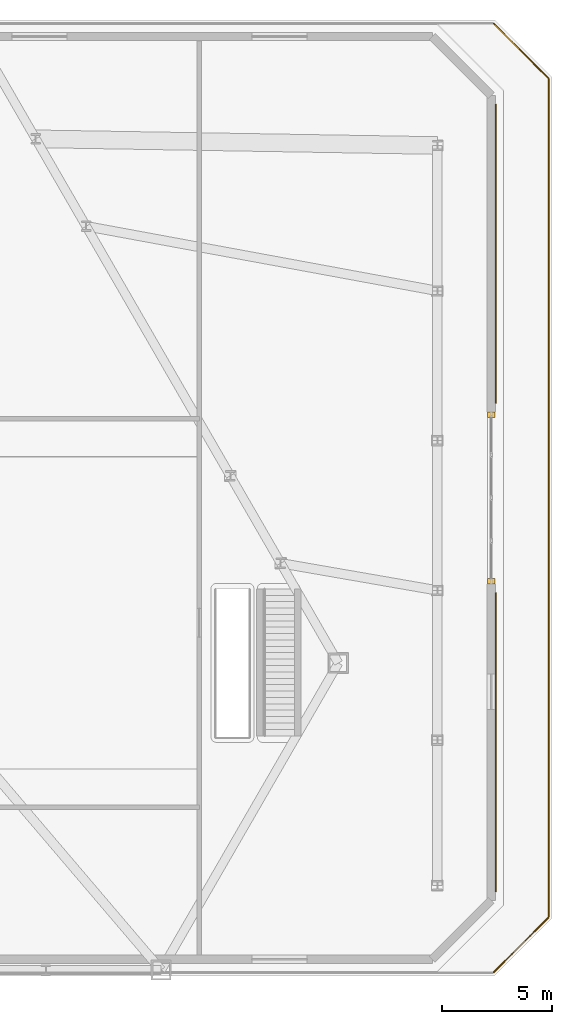
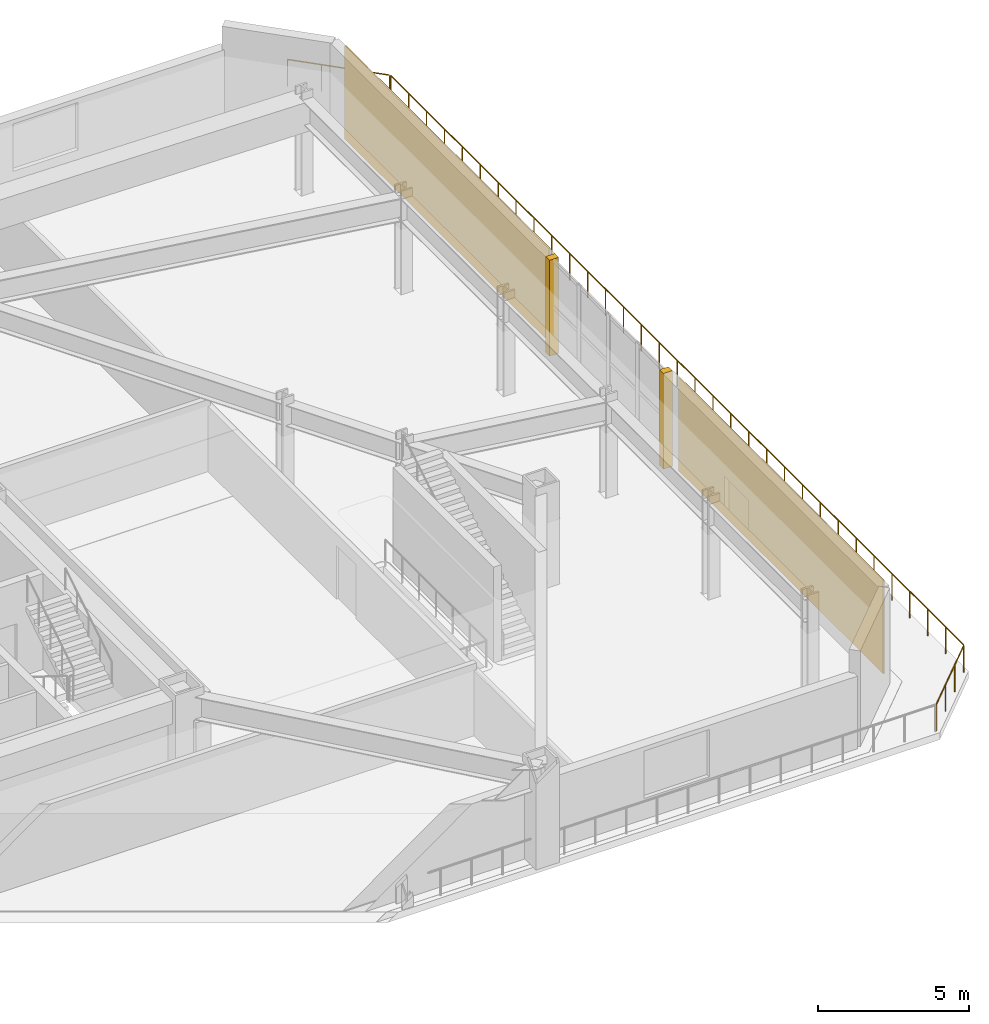
# One storey, part 22 of 22: 4 coverings, 3 railings.
"""IFC4 building model written with IfcOpenShell, lengths in metres."""

from ifc_helpers import new_model, si_unit, direction, frame, origin, origin_2d, place, context, subcontext, project, spatial, rectangle, circle, extrude, material, layer, layer_set, type_object, element, save


model = new_model("IFC4")

# Units and contexts
model_context = context("Model", 3, precision=1e-05, world=origin(), true_north=direction((0.0, 1.0)))
body_context = subcontext(model_context, "Body", "Model", "MODEL_VIEW")
ifc_project = project(units=[si_unit("LENGTHUNIT", "METRE"), si_unit("AREAUNIT", "SQUARE_METRE"), si_unit("VOLUMEUNIT", "CUBIC_METRE"), si_unit("PLANEANGLEUNIT", "RADIAN"), si_unit("MASSUNIT", "GRAM", prefix="KILO")], contexts=[model_context])

# Site, building, storey
site_placement = place(None, origin())
site = spatial("IfcSite", under=ifc_project, at=site_placement, CompositionType="ELEMENT")
building_placement = place(site_placement, origin())
building = spatial("IfcBuilding", under=site, at=building_placement, Name="Oramaril Tower", CompositionType="ELEMENT")
storey_placement = place(building_placement, frame((0.0, 0.0, 18.300048828125)))
storey = spatial("IfcBuildingStorey", under=building, at=storey_placement, Name="L04", CompositionType="ELEMENT", Elevation=18.300048828125)

# Coverings
ifc_material_1 = material(Name="Warm Cream Limestone", Category="masonry")
ifc_layer = layer(ifc_material_1, 0.050048828125)
ifc_layer_set = layer_set([ifc_layer], Name="CVT-CLD")
covering_type = type_object("IfcCoveringType", Name="CVT-CLD", PredefinedType="CLADDING", material=ifc_layer_set)
for number, where, z_axis, x_axis, name in (
    (1, (68.85009765625, 19.02001953125, 0.0), (0.0, 0.0, 1.0), (0.0, 1.0, 0.0), "L04 Curtain Wall Limestone Jamb Closure"),
    (2, (68.85009765625, 26.580078125, 0.0), (0.0, 0.0, 1.0), (0.0, 1.0, 0.0), "L04 Curtain Wall Limestone Jamb Closure"),
):
    element("IfcCovering", number, at=place(storey_placement, frame(where, z_axis=z_axis, x_axis=x_axis)), inside=storey, type_object=covering_type, Name=name, PredefinedType="CLADDING", context=body_context, shape_type="SweptSolid", body=[
        extrude(rectangle(XDim=0.260009765625, YDim=0.340087890625, at=origin_2d()), origin(), (0.0, 0.0, 1.0), 3.8798828125),
    ])
for number, where, z_axis, x_axis, name in (
    (3, (69.06298828125, 11.7138671875, 0.0498046875), (0.0, 0.0, 1.0), (0.0, 1.0, 0.0), "L04 Warm Cream Limestone Cladding"),
    (4, (69.06298828125, 33.885986328125, 0.0498046875), (0.0, 0.0, 1.0), (0.0, 1.0, 0.0), "L04 Warm Cream Limestone Cladding"),
):
    element("IfcCovering", number, at=place(storey_placement, frame(where, z_axis=z_axis, x_axis=x_axis)), inside=storey, type_object=covering_type, Name=name, PredefinedType="CLADDING", context=body_context, shape_type="SweptSolid", body=[
        extrude(rectangle(XDim=13.572265625, YDim=0.050048828125, at=origin_2d()), origin(), (0.0, 0.0, 1.0), 3.780029296875),
    ])

# Railings
ifc_material_2 = material(Name="Stainless Steel 316L", Category="steel")
railing_type = type_object("IfcRailingType", Name="RLT-GRD", PredefinedType="GUARDRAIL", material=ifc_material_2)
railing_1_placement = place(storey_placement, frame((68.963134765625, 1.26123046875, 0.0)))
element("IfcRailing", 5, at=railing_1_placement, inside=storey, type_object=railing_type, Name="L04 Podium Terrace Guardrail 02", PredefinedType="GUARDRAIL", context=body_context, shape_type="SweptSolid", body=[
    extrude(circle(Radius=0.02392578125, at=origin_2d()), frame((0.0, 0.0, 1.076171875), z_axis=(0.707106781187, 0.707106781187, 0.0), x_axis=(-0.707106781187, 0.707106781187, 0.0)), (0.0, 0.0, 1.0), 3.5009765625),
    extrude(circle(Radius=0.02099609375, at=origin_2d()), origin(), (0.0, 0.0, 1.0), 1.052001953125),
    extrude(circle(Radius=0.02099609375, at=origin_2d()), frame((0.8251953125, 0.8251953125, 0.0)), (0.0, 0.0, 1.0), 1.052001953125),
    extrude(circle(Radius=0.02099609375, at=origin_2d()), frame((1.650390625, 1.650390625, 0.0)), (0.0, 0.0, 1.0), 1.052001953125),
    extrude(circle(Radius=0.02099609375, at=origin_2d()), frame((2.4755859375, 2.4755859375, 0.0)), (0.0, 0.0, 1.0), 1.052001953125),
])
railing_2_placement = place(storey_placement, frame((71.4599609375, 3.7880859375, 0.0)))
element("IfcRailing", 6, at=railing_2_placement, inside=storey, type_object=railing_type, Name="L04 Podium Terrace Guardrail 03", PredefinedType="GUARDRAIL", context=body_context, shape_type="SweptSolid", body=[
    extrude(circle(Radius=0.02392578125, at=origin_2d()), frame((0.0, 0.0, 1.076171875), z_axis=(0.0, 1.0, 0.0), x_axis=(-1.0, 0.0, 0.0)), (0.0, 0.0, 1.0), 38.02392578125),
    extrude(circle(Radius=0.02099609375, at=origin_2d()), origin(), (0.0, 0.0, 1.0), 1.052001953125),
    extrude(circle(Radius=0.02099609375, at=origin_2d()), frame((0.0, 1.188232421875, 0.0)), (0.0, 0.0, 1.0), 1.052001953125),
    extrude(circle(Radius=0.02099609375, at=origin_2d()), frame((0.0, 2.37646484375, 0.0)), (0.0, 0.0, 1.0), 1.052001953125),
    extrude(circle(Radius=0.02099609375, at=origin_2d()), frame((0.0, 3.564697265625, 0.0)), (0.0, 0.0, 1.0), 1.052001953125),
    extrude(circle(Radius=0.02099609375, at=origin_2d()), frame((0.0, 4.7529296875, 0.0)), (0.0, 0.0, 1.0), 1.052001953125),
    extrude(circle(Radius=0.02099609375, at=origin_2d()), frame((0.0, 5.941162109375, 0.0)), (0.0, 0.0, 1.0), 1.052001953125),
    extrude(circle(Radius=0.02099609375, at=origin_2d()), frame((0.0, 7.12939453125, 0.0)), (0.0, 0.0, 1.0), 1.052001953125),
    extrude(circle(Radius=0.02099609375, at=origin_2d()), frame((0.0, 8.317626953125, 0.0)), (0.0, 0.0, 1.0), 1.052001953125),
    extrude(circle(Radius=0.02099609375, at=origin_2d()), frame((0.0, 9.505859375, 0.0)), (0.0, 0.0, 1.0), 1.052001953125),
    extrude(circle(Radius=0.02099609375, at=origin_2d()), frame((0.0, 10.6943359375, 0.0)), (0.0, 0.0, 1.0), 1.052001953125),
    extrude(circle(Radius=0.02099609375, at=origin_2d()), frame((0.0, 11.882568359375, 0.0)), (0.0, 0.0, 1.0), 1.052001953125),
    extrude(circle(Radius=0.02099609375, at=origin_2d()), frame((0.0, 13.07080078125, 0.0)), (0.0, 0.0, 1.0), 1.052001953125),
    extrude(circle(Radius=0.02099609375, at=origin_2d()), frame((0.0, 14.259033203125, 0.0)), (0.0, 0.0, 1.0), 1.052001953125),
    extrude(circle(Radius=0.02099609375, at=origin_2d()), frame((0.0, 15.447265625, 0.0)), (0.0, 0.0, 1.0), 1.052001953125),
    extrude(circle(Radius=0.02099609375, at=origin_2d()), frame((0.0, 16.635498046875, 0.0)), (0.0, 0.0, 1.0), 1.052001953125),
    extrude(circle(Radius=0.02099609375, at=origin_2d()), frame((0.0, 17.82373046875, 0.0)), (0.0, 0.0, 1.0), 1.052001953125),
    extrude(circle(Radius=0.02099609375, at=origin_2d()), frame((0.0, 19.011962890625, 0.0)), (0.0, 0.0, 1.0), 1.052001953125),
    extrude(circle(Radius=0.02099609375, at=origin_2d()), frame((0.0, 20.2001953125, 0.0)), (0.0, 0.0, 1.0), 1.052001953125),
    extrude(circle(Radius=0.02099609375, at=origin_2d()), frame((0.0, 21.388427734375, 0.0)), (0.0, 0.0, 1.0), 1.052001953125),
    extrude(circle(Radius=0.02099609375, at=origin_2d()), frame((0.0, 22.57666015625, 0.0)), (0.0, 0.0, 1.0), 1.052001953125),
    extrude(circle(Radius=0.02099609375, at=origin_2d()), frame((0.0, 23.764892578125, 0.0)), (0.0, 0.0, 1.0), 1.052001953125),
    extrude(circle(Radius=0.02099609375, at=origin_2d()), frame((0.0, 24.953125, 0.0)), (0.0, 0.0, 1.0), 1.052001953125),
    extrude(circle(Radius=0.02099609375, at=origin_2d()), frame((0.0, 26.141357421875, 0.0)), (0.0, 0.0, 1.0), 1.052001953125),
    extrude(circle(Radius=0.02099609375, at=origin_2d()), frame((0.0, 27.32958984375, 0.0)), (0.0, 0.0, 1.0), 1.052001953125),
    extrude(circle(Radius=0.02099609375, at=origin_2d()), frame((0.0, 28.51806640625, 0.0)), (0.0, 0.0, 1.0), 1.052001953125),
    extrude(circle(Radius=0.02099609375, at=origin_2d()), frame((0.0, 29.706298828125, 0.0)), (0.0, 0.0, 1.0), 1.052001953125),
    extrude(circle(Radius=0.02099609375, at=origin_2d()), frame((0.0, 30.89453125, 0.0)), (0.0, 0.0, 1.0), 1.052001953125),
    extrude(circle(Radius=0.02099609375, at=origin_2d()), frame((0.0, 32.082763671875, 0.0)), (0.0, 0.0, 1.0), 1.052001953125),
    extrude(circle(Radius=0.02099609375, at=origin_2d()), frame((0.0, 33.27099609375, 0.0)), (0.0, 0.0, 1.0), 1.052001953125),
    extrude(circle(Radius=0.02099609375, at=origin_2d()), frame((0.0, 34.459228515625, 0.0)), (0.0, 0.0, 1.0), 1.052001953125),
    extrude(circle(Radius=0.02099609375, at=origin_2d()), frame((0.0, 35.6474609375, 0.0)), (0.0, 0.0, 1.0), 1.052001953125),
    extrude(circle(Radius=0.02099609375, at=origin_2d()), frame((0.0, 36.835693359375, 0.0)), (0.0, 0.0, 1.0), 1.052001953125),
    extrude(circle(Radius=0.02099609375, at=origin_2d()), frame((0.0, 38.02392578125, 0.0)), (0.0, 0.0, 1.0), 1.052001953125),
])
railing_3_placement = place(storey_placement, frame((71.438720703125, 41.86328125, 0.0)))
element("IfcRailing", 7, at=railing_3_placement, inside=storey, type_object=railing_type, Name="L04 Podium Terrace Guardrail 04", PredefinedType="GUARDRAIL", context=body_context, shape_type="SweptSolid", body=[
    extrude(circle(Radius=0.02392578125, at=origin_2d()), frame((0.0, 0.0, 1.076171875), z_axis=(-0.707106781187, 0.707106781187, 0.0), x_axis=(-0.707106781187, -0.707106781187, 0.0)), (0.0, 0.0, 1.0), 3.5009765625),
    extrude(circle(Radius=0.02099609375, at=origin_2d()), origin(), (0.0, 0.0, 1.0), 1.052001953125),
    extrude(circle(Radius=0.02099609375, at=origin_2d()), frame((-0.8251953125, 0.8251953125, 0.0)), (0.0, 0.0, 1.0), 1.052001953125),
    extrude(circle(Radius=0.02099609375, at=origin_2d()), frame((-1.650390625, 1.650390625, 0.0)), (0.0, 0.0, 1.0), 1.052001953125),
    extrude(circle(Radius=0.02099609375, at=origin_2d()), frame((-2.4755859375, 2.4755859375, 0.0)), (0.0, 0.0, 1.0), 1.052001953125),
])

save(model, "model.ifc")
